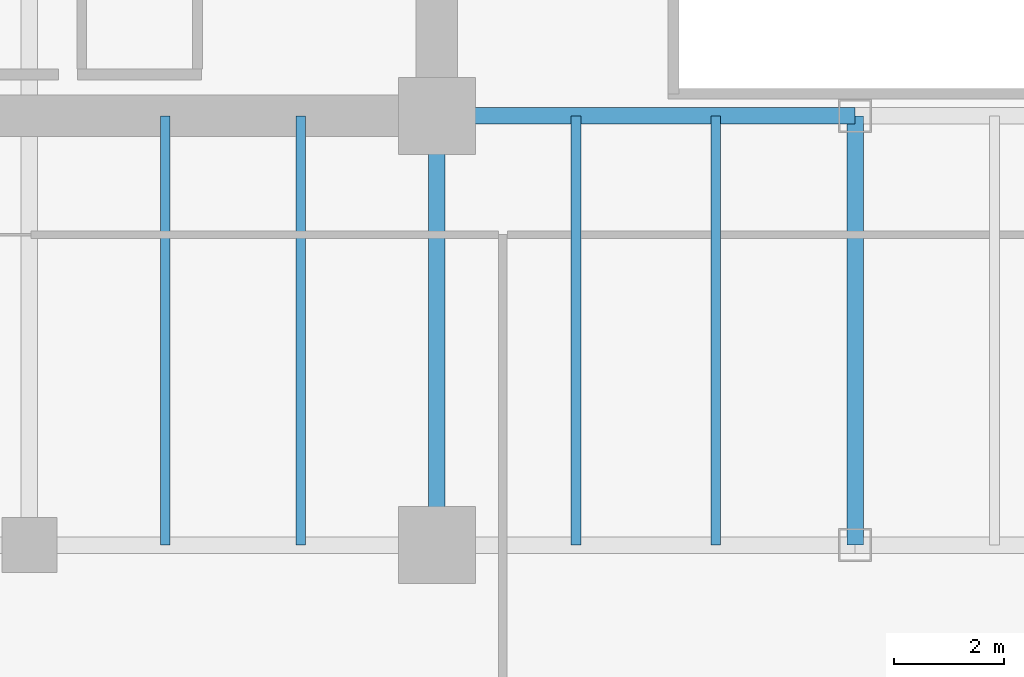
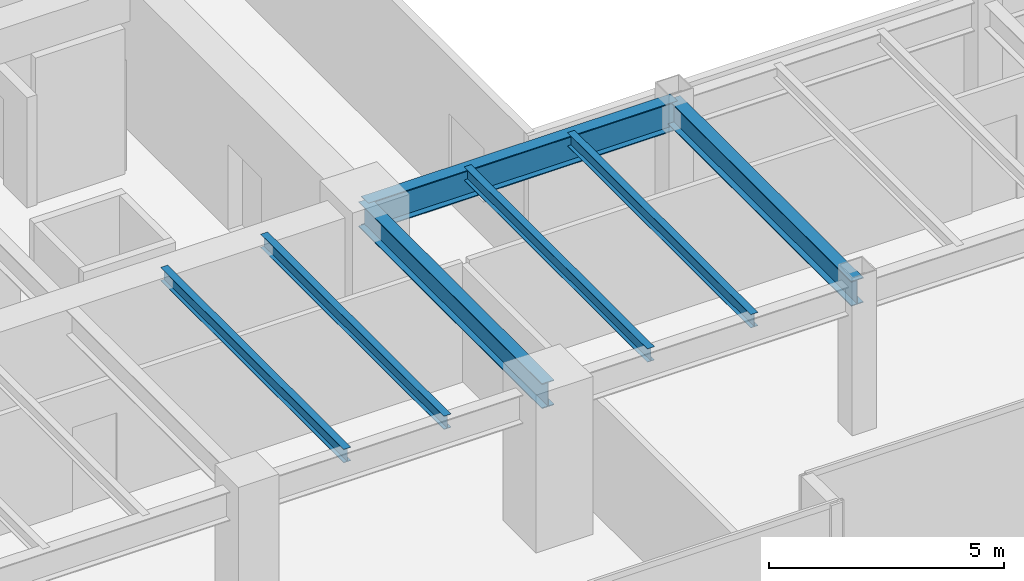
# One storey, part 5 of 35: 7 beams.
"""IFC4 building model written with IfcOpenShell, lengths in metres."""

from ifc_helpers import new_model, si_unit, direction, frame, origin, origin_2d, place, context, subcontext, project, spatial, i_section, extrude, source, transform, mapped, material, material_profile, profile_set, type_object, type_shapes, element, save


model = new_model("IFC4")

# Units and contexts
model_context = context("Model", 3, precision=1e-05, world=origin(), true_north=direction((0.0, 1.0)))
body_context = subcontext(model_context, "Body", "Model", "MODEL_VIEW")
ifc_project = project(units=[si_unit("LENGTHUNIT", "METRE"), si_unit("AREAUNIT", "SQUARE_METRE"), si_unit("VOLUMEUNIT", "CUBIC_METRE"), si_unit("PLANEANGLEUNIT", "RADIAN"), si_unit("MASSUNIT", "GRAM", prefix="KILO")], contexts=[model_context])

# Site, building, storey
site_placement = place(None, origin())
site = spatial("IfcSite", under=ifc_project, at=site_placement, CompositionType="ELEMENT")
building_placement = place(site_placement, origin())
building = spatial("IfcBuilding", under=site, at=building_placement, Name="Haelvirn Gate Laboratories", CompositionType="ELEMENT")
storey_placement = place(building_placement, frame((0.0, 0.0, 90.800048828125)))
storey = spatial("IfcBuildingStorey", under=building, at=storey_placement, Name="L22", CompositionType="ELEMENT", Elevation=90.800048828125)

# Beams
ifc_material = material(Name="Steel SM355", Category="steel")
ifc_material_profile_1 = material_profile(ifc_material, i_section(OverallWidth=0.300048828125, OverallDepth=0.75, WebThickness=0.013916015625, FlangeThickness=0.02392578125, at=origin_2d()), Name="H-750x300x14x24")
ifc_profile_set_1 = profile_set([ifc_material_profile_1], Name="Steel SM355")
beam_type_1 = type_object("IfcBeamType", Name="BM-G-750", PredefinedType="BEAM", material=ifc_profile_set_1)
shared_shape_1 = source(origin(), body_context, "Body", "SweptSolid", [
    extrude(i_section(OverallWidth=0.300048828125, OverallDepth=0.75, WebThickness=0.013916015625, FlangeThickness=0.02392578125, at=origin_2d()), origin(), (0.0, 0.0, 1.0), 7.60009765625),
])
type_shapes(beam_type_1, [shared_shape_1])
beam_placement = place(storey_placement, frame((22.199951171875, 14.800048828125, 3.405029296875), z_axis=(1.0, 0.0, 0.0), x_axis=(0.0, 1.0, 0.0)))
element("IfcBeam", 1, at=beam_placement, inside=storey, type_object=beam_type_1, Name="L22 Primary Girder Y14.8 (22.2-29.8)", PredefinedType="BEAM", context=body_context, shape_type="MappedRepresentation", body=[
    mapped(shared_shape_1, transform((0.0, 0.0, 0.0), scale=1.0)),
])
ifc_material_profile_2 = material_profile(ifc_material, i_section(OverallWidth=0.175048828125, OverallDepth=0.35009765625, WebThickness=0.007080078125, FlangeThickness=0.010986328125, at=origin_2d()), Name="H-350x175x7x11")
ifc_profile_set_2 = profile_set([ifc_material_profile_2], Name="Steel SM355")
beam_type_2 = type_object("IfcBeamType", Name="BM-J-350", PredefinedType="JOIST", material=ifc_profile_set_2)
shared_shape_2 = source(origin(), body_context, "Body", "SweptSolid", [
    extrude(i_section(OverallWidth=0.175048828125, OverallDepth=0.35009765625, WebThickness=0.007080078125, FlangeThickness=0.010986328125, at=origin_2d()), origin(), (0.0, 0.0, 1.0), 7.800048828125),
])
type_shapes(beam_type_2, [shared_shape_2])
for number, where, z_axis, x_axis, name in (
    (2, (17.27001953125, 7.0, 3.60498046875), (0.0, 1.0, 0.0), (-1.0, 0.0, 0.0), "L22 Composite Lab Joist South X17.27"),
    (3, (19.72998046875, 7.0, 3.60498046875), (0.0, 1.0, 0.0), (-1.0, 0.0, 0.0), "L22 Composite Lab Joist South X19.73"),
    (4, (24.72998046875, 7.0, 3.60498046875), (0.0, 1.0, 0.0), (-1.0, 0.0, 0.0), "L22 Composite Lab Joist South X24.73"),
    (5, (27.27001953125, 7.0, 3.60498046875), (0.0, 1.0, 0.0), (-1.0, 0.0, 0.0), "L22 Composite Lab Joist South X27.27"),
):
    element("IfcBeam", number, at=place(storey_placement, frame(where, z_axis=z_axis, x_axis=x_axis)), inside=storey, type_object=beam_type_2, Name=name, PredefinedType="JOIST", context=body_context, shape_type="MappedRepresentation", body=[
        mapped(shared_shape_2, transform((0.0, 0.0, 0.0), scale=1.0)),
    ])
ifc_material_profile_3 = material_profile(ifc_material, i_section(OverallWidth=0.300048828125, OverallDepth=0.64990234375, WebThickness=0.012939453125, FlangeThickness=0.02197265625, at=origin_2d()), Name="H-650x300x13x22")
ifc_profile_set_3 = profile_set([ifc_material_profile_3], Name="Steel SM355")
beam_type_3 = type_object("IfcBeamType", Name="BM-G-650", PredefinedType="BEAM", material=ifc_profile_set_3)
shared_shape_3 = source(origin(), body_context, "Body", "SweptSolid", [
    extrude(i_section(OverallWidth=0.300048828125, OverallDepth=0.64990234375, WebThickness=0.012939453125, FlangeThickness=0.02197265625, at=origin_2d()), origin(), (0.0, 0.0, 1.0), 7.800048828125),
])
type_shapes(beam_type_3, [shared_shape_3])
for number, where, z_axis, x_axis, name in (
    (6, (22.199951171875, 7.0, 3.454833984375), (0.0, 1.0, 0.0), (-1.0, 0.0, 0.0), "L22 Frame Girder X22.2 (7.0-14.8)"),
    (7, (29.800048828125, 7.0, 3.454833984375), (0.0, 1.0, 0.0), (-1.0, 0.0, 0.0), "L22 Frame Girder X29.8 (7.0-14.8)"),
):
    element("IfcBeam", number, at=place(storey_placement, frame(where, z_axis=z_axis, x_axis=x_axis)), inside=storey, type_object=beam_type_3, Name=name, PredefinedType="BEAM", context=body_context, shape_type="MappedRepresentation", body=[
        mapped(shared_shape_3, transform((0.0, 0.0, 0.0), scale=1.0)),
    ])

save(model, "model.ifc")
